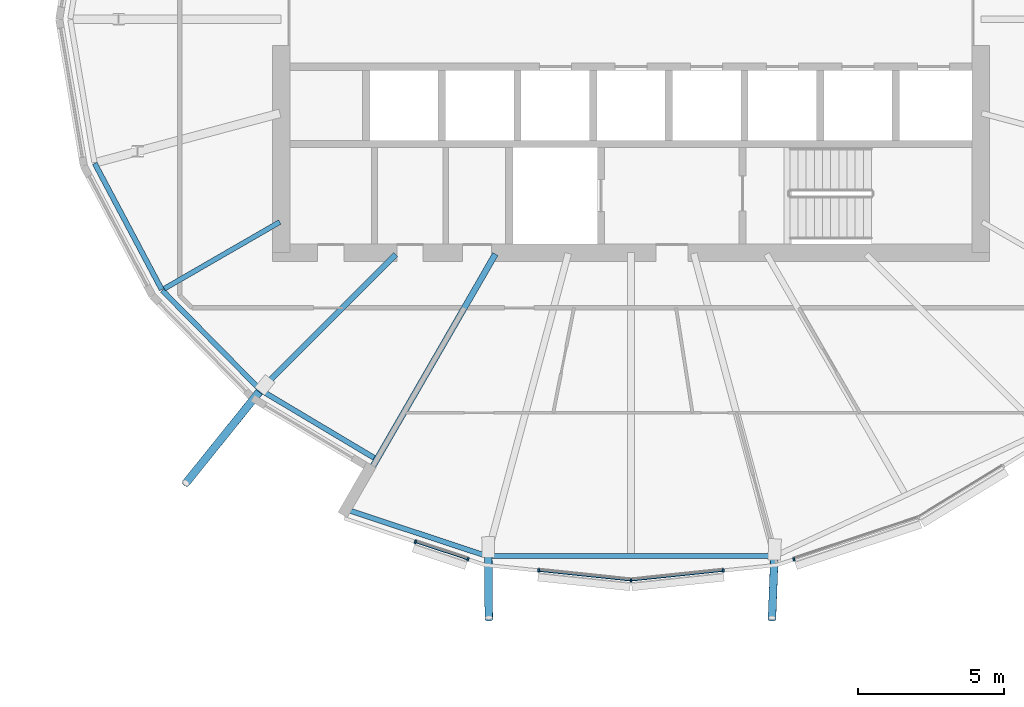
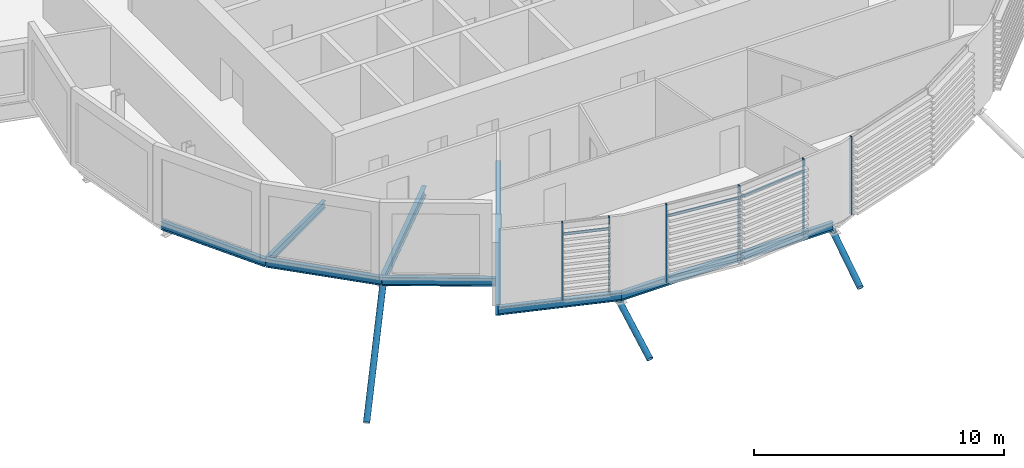
# One storey, part 3 of 35: 12 members, 8 beams, 1 element without a shape of its own.
"""IFC4 building model written with IfcOpenShell, lengths in metres."""

from ifc_helpers import new_model, si_unit, direction, frame, origin, origin_2d, place, context, subcontext, project, spatial, rectangle, hollow_circle, i_section, extrude, clip, halfspace, material, material_profile, profile_set, type_object, element, aggregate, save


model = new_model("IFC4")

# Units and contexts
model_context = context("Model", 3, precision=1e-05, world=origin(), true_north=direction((0.0, 1.0)))
body_context = subcontext(model_context, "Body", "Model", "MODEL_VIEW")
ifc_project = project(units=[si_unit("LENGTHUNIT", "METRE"), si_unit("AREAUNIT", "SQUARE_METRE"), si_unit("VOLUMEUNIT", "CUBIC_METRE"), si_unit("PLANEANGLEUNIT", "RADIAN"), si_unit("MASSUNIT", "GRAM", prefix="KILO")], contexts=[model_context])

# Site, building, storey
site_placement = place(None, origin())
site = spatial("IfcSite", under=ifc_project, at=site_placement, CompositionType="ELEMENT")
building_placement = place(site_placement, origin())
building = spatial("IfcBuilding", under=site, at=building_placement, Name="Rimbun Link Towers", CompositionType="ELEMENT")
storey_placement = place(building_placement, frame((0.0, 0.0, 196.89990234375)))
storey = spatial("IfcBuildingStorey", under=building, at=storey_placement, Name="L48", CompositionType="ELEMENT", Elevation=196.89990234375)

# Curtain wall, members
ifc_material_1 = material(Name="Aluminium 6063-T6 and low-iron glass", Category="aluminium")
curtain_wall_type = type_object("IfcCurtainWallType", Name="CW1-Z3 unitised vision wall (zone 3)", PredefinedType="NOTDEFINED", material=ifc_material_1)
curtain_wall_placement = place(storey_placement, origin())
curtain_wall = element("IfcCurtainWall", 1, at=curtain_wall_placement, inside=storey, type_object=curtain_wall_type, Name="CW1 L48 T1", PredefinedType="NOTDEFINED")
ifc_material_2 = material(Name="Aluminium 6063-T6", Category="aluminium")
ifc_material_profile_1 = material_profile(ifc_material_2, rectangle(XDim=0.1201171875, YDim=0.06005859375, at=origin_2d()), Name="MULLION 60X120")
ifc_profile_set_1 = profile_set([ifc_material_profile_1], Name="Aluminium 6063-T6")
member_type_1 = type_object("IfcMemberType", Name="CW1 mullion 60X120", PredefinedType="MULLION", material=ifc_profile_set_1)
member_1_placement = place(storey_placement, frame((-37.337158203125, -18.5234375, 0.0), z_axis=(0.0, 0.0, 1.0), x_axis=(-0.314557993327, -0.949238257149, 0.0)))
member_1 = element("IfcMember", 2, at=member_1_placement, type_object=member_type_1, Name="CW1 mullion", PredefinedType="MULLION", context=body_context, shape_type="SweptSolid", body=[
    extrude(rectangle(XDim=0.1201171875, YDim=0.06005859375, at=origin_2d()), origin(), (0.0, 0.0, 1.0), 3.800048828125),
])
member_2_placement = place(storey_placement, frame((-39.14453125, -17.924560546875, 0.0), z_axis=(0.0, 0.0, 1.0), x_axis=(-0.314557993327, -0.949238257149, 0.0)))
member_2 = element("IfcMember", 3, at=member_2_placement, type_object=member_type_1, Name="CW1 mullion", PredefinedType="MULLION", context=body_context, shape_type="SweptSolid", body=[
    extrude(rectangle(XDim=0.1201171875, YDim=0.06005859375, at=origin_2d()), origin(), (0.0, 0.0, 1.0), 3.800048828125),
])
member_3_placement = place(storey_placement, frame((-31.75, -19.24169921875, 0.0), z_axis=(0.0, 0.0, 1.0), x_axis=(0.0, -1.0, 0.0)))
member_3 = element("IfcMember", 4, at=member_3_placement, type_object=member_type_1, Name="CW1 mullion", PredefinedType="MULLION", context=body_context, shape_type="SweptSolid", body=[
    extrude(rectangle(XDim=0.1201171875, YDim=0.06005859375, at=origin_2d()), origin(), (0.0, 0.0, 1.0), 3.800048828125),
])
member_4_placement = place(storey_placement, frame((-34.915283203125, -18.90869140625, 0.0), z_axis=(0.0, 0.0, 1.0), x_axis=(-0.104747958219, -0.994498801029, 0.0)))
member_4 = element("IfcMember", 5, at=member_4_placement, type_object=member_type_1, Name="CW1 mullion", PredefinedType="MULLION", context=body_context, shape_type="SweptSolid", body=[
    extrude(rectangle(XDim=0.1201171875, YDim=0.06005859375, at=origin_2d()), origin(), (0.0, 0.0, 1.0), 3.800048828125),
])
member_5_placement = place(storey_placement, frame((-28.584716796875, -18.90869140625, 0.0), z_axis=(0.0, 0.0, 1.0), x_axis=(0.104747958219, -0.994498801029, 0.0)))
member_5 = element("IfcMember", 6, at=member_5_placement, type_object=member_type_1, Name="CW1 mullion", PredefinedType="MULLION", context=body_context, shape_type="SweptSolid", body=[
    extrude(rectangle(XDim=0.1201171875, YDim=0.06005859375, at=origin_2d()), origin(), (0.0, 0.0, 1.0), 3.800048828125),
])
member_6_placement = place(storey_placement, frame((-26.162841796875, -18.5234375, 0.0), z_axis=(0.0, 0.0, 1.0), x_axis=(0.314557993327, -0.949238257149, 0.0)))
member_6 = element("IfcMember", 7, at=member_6_placement, type_object=member_type_1, Name="CW1 mullion", PredefinedType="MULLION", context=body_context, shape_type="SweptSolid", body=[
    extrude(rectangle(XDim=0.1201171875, YDim=0.06005859375, at=origin_2d()), origin(), (0.0, 0.0, 1.0), 3.800048828125),
])
ifc_material_3 = material(Name="Aluminium 6063-T6", Category="aluminium")
ifc_material_profile_2 = material_profile(ifc_material_3, rectangle(XDim=0.06005859375, YDim=0.1201171875, at=origin_2d()), Name="TRANSOM 60X120")
ifc_profile_set_2 = profile_set([ifc_material_profile_2], Name="Aluminium 6063-T6")
member_type_2 = type_object("IfcMemberType", Name="CW1 transom 60X120", PredefinedType="USERDEFINED", material=ifc_profile_set_2)
member_7_placement = place(storey_placement, frame((-37.364990234375, -18.511962890625, 3.2001953125), z_axis=(-0.949264302387, 0.314479385991, 0.0), x_axis=(-0.314479385991, -0.949264302387, 0.0)))
member_7 = element("IfcMember", 8, at=member_7_placement, type_object=member_type_2, Name="CW1 transom", ObjectType="TRANSOM", PredefinedType="USERDEFINED", context=body_context, shape_type="SweptSolid", body=[
    extrude(rectangle(XDim=0.06005859375, YDim=0.1201171875, at=origin_2d()), origin(), (0.0, 0.0, 1.0), 1.84375),
])
member_8_placement = place(storey_placement, frame((-31.785888671875, -19.236328125, 3.2001953125), z_axis=(-0.994499011805, 0.104745957049, 0.0), x_axis=(-0.104745957049, -0.994499011805, 0.0)))
member_8 = element("IfcMember", 9, at=member_8_placement, type_object=member_type_2, Name="CW1 transom", ObjectType="TRANSOM", PredefinedType="USERDEFINED", context=body_context, shape_type="SweptSolid", body=[
    extrude(rectangle(XDim=0.06005859375, YDim=0.1201171875, at=origin_2d()), origin(), (0.0, 0.0, 1.0), 3.1162109375),
])
member_9_placement = place(storey_placement, frame((-28.614990234375, -18.909912109375, 3.2001953125), z_axis=(-0.994499011805, -0.104745957049, 0.0), x_axis=(0.104745957049, -0.994499011805, 0.0)))
member_9 = element("IfcMember", 10, at=member_9_placement, type_object=member_type_2, Name="CW1 transom", ObjectType="TRANSOM", PredefinedType="USERDEFINED", context=body_context, shape_type="SweptSolid", body=[
    extrude(rectangle(XDim=0.06005859375, YDim=0.1201171875, at=origin_2d()), origin(), (0.0, 0.0, 1.0), 3.1162109375),
])
aggregate(curtain_wall, [member_1, member_2, member_3, member_4, member_5, member_6, member_7, member_8, member_9])

# Members
ifc_material_4 = material(Name="Steel S355J2H", Category="steel")
ifc_material_profile_3 = material_profile(ifc_material_4, hollow_circle(Radius=0.136474609375, WallThickness=0.012451171875, at=origin_2d()), Name="CHS 273x12.5")
ifc_profile_set_3 = profile_set([ifc_material_profile_3], Name="Steel S355J2H")
member_type_3 = type_object("IfcMemberType", Name="Floor edge link CHS 273x12.5", PredefinedType="BRACE", material=ifc_profile_set_3)
member_10_placement = place(storey_placement, frame((-44.3623046875, -12.6123046875, -0.706298828125), z_axis=(-0.46906626359, -0.582744026395, -0.663616033609), x_axis=(0.77899314879, -0.627032434678, 0.0)))
element("IfcMember", 11, at=member_10_placement, inside=storey, type_object=member_type_3, Name="Floor edge link T1 L48 15", PredefinedType="BRACE", context=body_context, shape_type="Clipping", body=[
    clip(extrude(hollow_circle(Radius=0.136474609375, WallThickness=0.012451171875, at=origin_2d()), frame((0.0, 0.0, -0.32275390625)), (0.0, 0.0, 1.0), 5.986083984375), halfspace(frame((0.0, 0.0, -0.152099609375), z_axis=(0.0, 0.748073365344, -0.663616033609)), False)),
])
member_11_placement = place(storey_placement, frame((-36.64697265625, -18.275390625, -0.870849609375), z_axis=(0.008409123492, -0.869466405923, -0.493920495234), x_axis=(0.999953233444, 0.009671138723, 0.0)))
element("IfcMember", 12, at=member_11_placement, inside=storey, type_object=member_type_3, Name="Floor edge link T1 L48 17", PredefinedType="BRACE", context=body_context, shape_type="Clipping", body=[
    clip(extrude(hollow_circle(Radius=0.136474609375, WallThickness=0.012451171875, at=origin_2d()), frame((0.0, 0.0, -0.500732421875)), (0.0, 0.0, 1.0), 3.142822265625), halfspace(frame((0.0, 0.0, -0.235595703125), z_axis=(0.0, 0.869507069774, -0.493920495234)), False)),
])
member_12_placement = place(storey_placement, frame((-26.829833984375, -18.3623046875, -0.871826171875), z_axis=(-0.033818478174, -0.876864826951, -0.479546020513), x_axis=(0.999257102902, -0.038538841434, 0.0)))
element("IfcMember", 13, at=member_12_placement, inside=storey, type_object=member_type_3, Name="Floor edge link T1 L48 19", PredefinedType="BRACE", context=body_context, shape_type="Clipping", body=[
    clip(extrude(hollow_circle(Radius=0.136474609375, WallThickness=0.012451171875, at=origin_2d()), frame((0.0, 0.0, -0.5205078125)), (0.0, 0.0, 1.0), 3.047119140625), halfspace(frame((0.0, 0.0, -0.24462890625), z_axis=(0.0, 0.877516731584, -0.479546020513)), False)),
])

# Beams
ifc_material_5 = material(Name="Steel S355J2", Category="steel")
ifc_material_profile_4 = material_profile(ifc_material_5, i_section(OverallWidth=0.17138671875, OverallDepth=0.35498046875, WebThickness=0.00732421875, FlangeThickness=0.011474609375, at=origin_2d()), Name="UB 356x171x51")
ifc_profile_set_4 = profile_set([ifc_material_profile_4], Name="Steel S355J2")
beam_type_1 = type_object("IfcBeamType", Name="UB 356x171x51", PredefinedType="BEAM", material=ifc_profile_set_4)
beam_1_placement = place(storey_placement, frame((-43.793701171875, -6.95361328125, -0.327392578125), z_axis=(-0.866047865585, -0.499961093003, 0.0), x_axis=(0.499961093003, -0.866047865585, 0.0)))
element("IfcBeam", 14, at=beam_1_placement, inside=storey, type_object=beam_type_1, Name="Radial beam T1 L48 14", PredefinedType="BEAM", context=body_context, shape_type="SweptSolid", body=[
    extrude(i_section(OverallWidth=0.17138671875, OverallDepth=0.35498046875, WebThickness=0.00732421875, FlangeThickness=0.011474609375, at=origin_2d()), origin(), (0.0, 0.0, 1.0), 4.575439453125),
])
ifc_material_6 = material(Name="Steel S355J2", Category="steel")
ifc_material_profile_5 = material_profile(ifc_material_6, i_section(OverallWidth=0.177978515625, OverallDepth=0.406494140625, WebThickness=0.0078125, FlangeThickness=0.0126953125, at=origin_2d()), Name="UB 406x178x60")
ifc_profile_set_5 = profile_set([ifc_material_profile_5], Name="Steel S355J2")
beam_type_2 = type_object("IfcBeamType", Name="UB 406x178x60", PredefinedType="BEAM", material=ifc_profile_set_5)
beam_2_placement = place(storey_placement, frame((-50.14013671875, -4.943115234375, -0.35302734375), z_axis=(0.468829980345, -0.88328842941, 0.0), x_axis=(0.88328842941, 0.468829980345, 0.0)))
element("IfcBeam", 15, at=beam_2_placement, inside=storey, type_object=beam_type_2, Name="Edge beam T1 L48 13 recess", PredefinedType="BEAM", context=body_context, shape_type="SweptSolid", body=[
    extrude(i_section(OverallWidth=0.177978515625, OverallDepth=0.406494140625, WebThickness=0.0078125, FlangeThickness=0.0126953125, at=origin_2d()), origin(), (0.0, 0.0, 1.0), 4.9033203125),
])
beam_3_placement = place(storey_placement, frame((-47.824951171875, -9.29638671875, -0.35302734375), z_axis=(0.701647333503, -0.712524399153, 0.0), x_axis=(0.712524399153, 0.701647333503, 0.0)))
element("IfcBeam", 16, at=beam_3_placement, inside=storey, type_object=beam_type_2, Name="Edge beam T1 L48 14 recess", PredefinedType="BEAM", context=body_context, shape_type="SweptSolid", body=[
    extrude(i_section(OverallWidth=0.177978515625, OverallDepth=0.406494140625, WebThickness=0.0078125, FlangeThickness=0.0126953125, at=origin_2d()), origin(), (0.0, 0.0, 1.0), 4.78076171875),
])
beam_4_placement = place(storey_placement, frame((-44.451171875, -12.71826171875, -0.35302734375), z_axis=(0.858768378679, -0.512364003206, 0.0), x_axis=(0.512364003206, 0.858768378679, 0.0)))
element("IfcBeam", 17, at=beam_4_placement, inside=storey, type_object=beam_type_2, Name="Edge beam T1 L48 15 recess", PredefinedType="BEAM", context=body_context, shape_type="SweptSolid", body=[
    extrude(i_section(OverallWidth=0.177978515625, OverallDepth=0.406494140625, WebThickness=0.0078125, FlangeThickness=0.0126953125, at=origin_2d()), origin(), (0.0, 0.0, 1.0), 4.533935546875),
])
beam_5_placement = place(storey_placement, frame((-41.465087890625, -16.828857421875, -0.35302734375), z_axis=(0.94940318959, -0.314059840789, 0.0), x_axis=(0.314059840789, 0.94940318959, 0.0)))
element("IfcBeam", 18, at=beam_5_placement, inside=storey, type_object=beam_type_2, Name="Edge beam T1 L48 16", PredefinedType="BEAM", context=body_context, shape_type="SweptSolid", body=[
    extrude(i_section(OverallWidth=0.177978515625, OverallDepth=0.406494140625, WebThickness=0.0078125, FlangeThickness=0.0126953125, at=origin_2d()), origin(), (0.0, 0.0, 1.0), 5.035888671875),
])
beam_6_placement = place(storey_placement, frame((-36.68212890625, -18.41064453125, -0.35302734375), z_axis=(1.0, 0.0, 0.0), x_axis=(0.0, 1.0, 0.0)))
element("IfcBeam", 19, at=beam_6_placement, inside=storey, type_object=beam_type_2, Name="Edge beam T1 L48 17-19", PredefinedType="BEAM", context=body_context, shape_type="SweptSolid", body=[
    extrude(i_section(OverallWidth=0.177978515625, OverallDepth=0.406494140625, WebThickness=0.0078125, FlangeThickness=0.0126953125, at=origin_2d()), origin(), (0.0, 0.0, 1.0), 9.746337890625),
])
ifc_material_7 = material(Name="Steel S355J2", Category="steel")
ifc_material_profile_6 = material_profile(ifc_material_7, i_section(OverallWidth=0.18994140625, OverallDepth=0.453369140625, WebThickness=0.008544921875, FlangeThickness=0.0126953125, at=origin_2d()), Name="UB 457x191x67")
ifc_profile_set_6 = profile_set([ifc_material_profile_6], Name="Steel S355J2")
beam_type_3 = type_object("IfcBeamType", Name="UB 457x191x67", PredefinedType="BEAM", material=ifc_profile_set_6)
beam_7_placement = place(storey_placement, frame((-39.81787109375, -8.06787109375, -0.376708984375), z_axis=(-0.707106781187, -0.707106781187, 0.0), x_axis=(0.707106781187, -0.707106781187, 0.0)))
element("IfcBeam", 20, at=beam_7_placement, inside=storey, type_object=beam_type_3, Name="Radial beam T1 L48 15", PredefinedType="BEAM", context=body_context, shape_type="SweptSolid", body=[
    extrude(i_section(OverallWidth=0.18994140625, OverallDepth=0.453369140625, WebThickness=0.008544921875, FlangeThickness=0.0126953125, at=origin_2d()), origin(), (0.0, 0.0, 1.0), 6.476806640625),
])
ifc_material_8 = material(Name="Steel S355J2", Category="steel")
ifc_material_profile_7 = material_profile(ifc_material_8, i_section(OverallWidth=0.209228515625, OverallDepth=0.533203125, WebThickness=0.010009765625, FlangeThickness=0.015625, at=origin_2d()), Name="UB 533x210x92")
ifc_profile_set_7 = profile_set([ifc_material_profile_7], Name="Steel S355J2")
beam_type_4 = type_object("IfcBeamType", Name="UB 533x210x92", PredefinedType="BEAM", material=ifc_profile_set_7)
beam_8_placement = place(storey_placement, frame((-36.3994140625, -8.05322265625, -0.41650390625), z_axis=(-0.500017106834, -0.866015526924, 0.0), x_axis=(0.866015526924, -0.500017106834, 0.0)))
element("IfcBeam", 21, at=beam_8_placement, inside=storey, type_object=beam_type_4, Name="Radial beam T1 L48 16", PredefinedType="BEAM", context=body_context, shape_type="SweptSolid", body=[
    extrude(i_section(OverallWidth=0.209228515625, OverallDepth=0.533203125, WebThickness=0.010009765625, FlangeThickness=0.015625, at=origin_2d()), origin(), (0.0, 0.0, 1.0), 10.041259765625),
])

save(model, "model.ifc")
